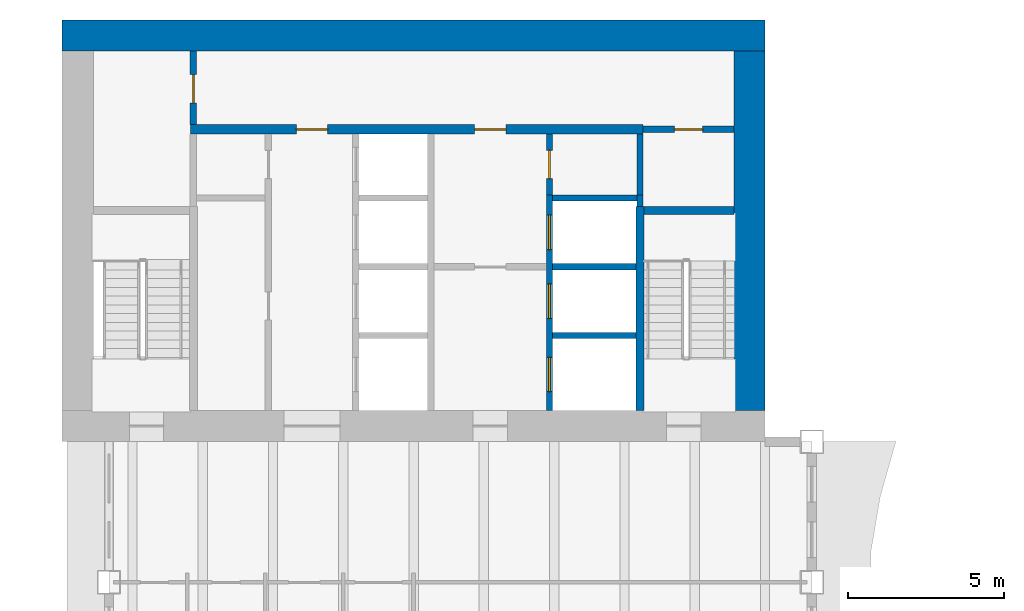
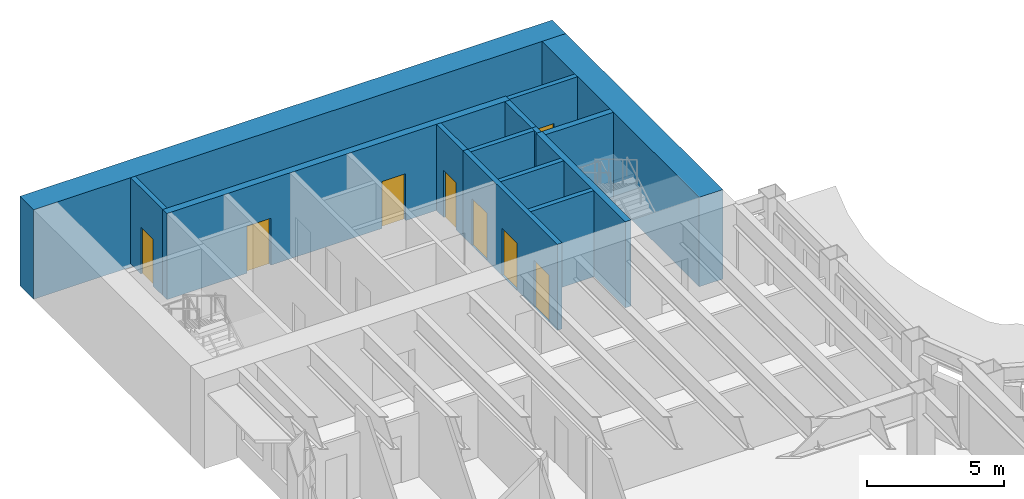
# One storey, part 10 of 17: 14 walls, 8 doors, 8 openings.
"""IFC4 building model written with IfcOpenShell, lengths in metres."""

from ifc_helpers import new_model, si_unit, direction, frame, frame_2d, origin, place, context, subcontext, project, spatial, rectangle, extrude, material, layer, layer_set, type_object, element, fill, save


model = new_model("IFC4")

# Units and contexts
model_context = context("Model", 3, precision=1e-05, world=origin(), true_north=direction((0.0, 1.0)))
body_context = subcontext(model_context, "Body", "Model", "MODEL_VIEW")
ifc_project = project(units=[si_unit("LENGTHUNIT", "METRE"), si_unit("AREAUNIT", "SQUARE_METRE"), si_unit("VOLUMEUNIT", "CUBIC_METRE"), si_unit("PLANEANGLEUNIT", "RADIAN"), si_unit("MASSUNIT", "GRAM", prefix="KILO")], contexts=[model_context])

# Site, building, storey
site_placement = place(None, origin())
site = spatial("IfcSite", under=ifc_project, at=site_placement, CompositionType="ELEMENT")
building_placement = place(site_placement, origin())
building = spatial("IfcBuilding", under=site, at=building_placement, Name="Sennacour Bend Tower", CompositionType="ELEMENT")
storey_placement = place(building_placement, frame((0.0, 0.0, 195.0)))
storey = spatial("IfcBuildingStorey", under=building, at=storey_placement, Name="L44", CompositionType="ELEMENT", Elevation=195.0)

# Walls
ifc_material_1 = material(Name="Concrete C60/75", Category="concrete")
ifc_layer_1 = layer(ifc_material_1, 1.0, Name="Concrete C60/75", Category="concrete")
ifc_layer_set_1 = layer_set([ifc_layer_1], Name="Concrete C60/75")
wall_type_1 = type_object("IfcWallType", Name="Core wall 1000 C60/75", PredefinedType="SHEAR", material=ifc_layer_set_1)
wall_1_placement = place(storey_placement, frame((0.0, 49.0, -0.14990234375), z_axis=(0.0, 0.0, 1.0), x_axis=(1.0, 0.0, 0.0)))
element("IfcWall", 1, at=wall_1_placement, inside=storey, type_object=wall_type_1, Name="Core B wall L44 N", PredefinedType="SHEAR", context=body_context, shape_type="SweptSolid", body=[
    extrude(rectangle(XDim=22.5, YDim=1.0, at=frame_2d((11.25, 0.0))), origin(), (0.0, 0.0, 1.0), 4.0),
])
wall_2_placement = place(storey_placement, frame((22.0, 37.0, -0.14990234375), z_axis=(0.0, 0.0, 1.0), x_axis=(0.0, 1.0, 0.0)))
element("IfcWall", 2, at=wall_2_placement, inside=storey, type_object=wall_type_1, Name="Core B wall L44 E", PredefinedType="SHEAR", context=body_context, shape_type="SweptSolid", body=[
    extrude(rectangle(XDim=11.5, YDim=1.0, at=frame_2d((5.75, 0.0))), origin(), (0.0, 0.0, 1.0), 4.0),
])

# Wall, opening, door
ifc_material_2 = material(Name="Fire-rated plasterboard partition on steel studs", Category="steel")
ifc_layer_2 = layer(ifc_material_2, 0.199951171875, Name="Fire-rated plasterboard partition on steel studs", Category="steel")
ifc_layer_set_2 = layer_set([ifc_layer_2], Name="Fire-rated plasterboard partition on steel studs")
wall_type_2 = type_object("IfcWallType", Name="Rated partition 200", PredefinedType="PARTITIONING", material=ifc_layer_set_2)
wall_3_placement = place(storey_placement, frame((4.199951171875, 46.14990234375, 0.0), z_axis=(0.0, 0.0, 1.0), x_axis=(0.0, 1.0, 0.0)))
wall_3 = element("IfcWall", 3, at=wall_3_placement, inside=storey, type_object=wall_type_2, Name="P-L44-W006b", PredefinedType="PARTITIONING", context=body_context, shape_type="SweptSolid", body=[
    extrude(rectangle(XDim=2.35009765625, YDim=0.199951171875, at=frame_2d((1.175048828125, 0.0))), origin(), (0.0, 0.0, 1.0), 3.85009765625),
])
opening_1_placement = place(wall_3_placement, frame((0.7001953125, 0.0, 0.0)))
opening_1 = element("IfcOpeningElement", 4, at=opening_1_placement, cuts=wall_3, Name="Opening SV", PredefinedType="OPENING", context=body_context, shape_type="SweptSolid", body=[
    extrude(rectangle(XDim=0.89990234375, YDim=2.10009765625, at=frame_2d((0.449951171875, 1.050048828125))), frame((0.0, 0.10986328125, 0.0), z_axis=(0.0, -1.0, 0.0), x_axis=(1.0, 0.0, 0.0)), (0.0, 0.0, 1.0), 0.219970703125),
])
ifc_material_3 = material(Name="Painted steel", Category="steel")
door_type_1 = type_object("IfcDoorType", Name="DR-SERVICE-900", OperationType="NOTDEFINED", PredefinedType="DOOR", material=ifc_material_3)
door_1_placement = place(opening_1_placement, origin())
door_1 = element("IfcDoor", 5, at=door_1_placement, inside=storey, type_object=door_type_1, Name="Door", OperationType="SINGLE_SWING_LEFT", OverallHeight=2.10009765625, OverallWidth=0.89990234375, PredefinedType="DOOR", context=body_context, shape_type="SweptSolid", body=[
    extrude(rectangle(XDim=0.89990234375, YDim=2.10009765625, at=frame_2d((0.449951171875, 1.050048828125))), frame((0.0, 0.02490234375, 0.0), z_axis=(0.0, -1.0, 0.0), x_axis=(1.0, 0.0, 0.0)), (0.0, 0.0, 1.0), 0.050048828125),
])
fill(opening_1, door_1)

wall_4_placement = place(storey_placement, frame((15.60009765625, 43.89990234375, 0.0), z_axis=(0.0, 0.0, 1.0), x_axis=(0.0, 1.0, 0.0)))
wall_4 = element("IfcWall", 6, at=wall_4_placement, inside=storey, type_object=wall_type_2, Name="P-L44-W018", PredefinedType="PARTITIONING", context=body_context, shape_type="SweptSolid", body=[
    extrude(rectangle(XDim=1.9501953125, YDim=0.199951171875, at=frame_2d((0.97509765625, 0.0))), origin(), (0.0, 0.0, 1.0), 3.85009765625),
])
opening_2_placement = place(wall_4_placement, frame((0.525146484375, 0.0, 0.0)))
opening_2 = element("IfcOpeningElement", 7, at=opening_2_placement, cuts=wall_4, Name="Opening SV", PredefinedType="OPENING", context=body_context, shape_type="SweptSolid", body=[
    extrude(rectangle(XDim=0.89990234375, YDim=2.10009765625, at=frame_2d((0.449951171875, 1.050048828125))), frame((0.0, 0.10986328125, 0.0), z_axis=(0.0, -1.0, 0.0), x_axis=(1.0, 0.0, 0.0)), (0.0, 0.0, 1.0), 0.219970703125),
])
door_2_placement = place(opening_2_placement, origin())
door_2 = element("IfcDoor", 8, at=door_2_placement, inside=storey, type_object=door_type_1, Name="Door", OperationType="SINGLE_SWING_RIGHT", OverallHeight=2.10009765625, OverallWidth=0.89990234375, PredefinedType="DOOR", context=body_context, shape_type="SweptSolid", body=[
    extrude(rectangle(XDim=0.89990234375, YDim=2.10009765625, at=frame_2d((0.449951171875, 1.050048828125))), frame((0.0, 0.02490234375, 0.0), z_axis=(0.0, -1.0, 0.0), x_axis=(1.0, 0.0, 0.0)), (0.0, 0.0, 1.0), 0.050048828125),
])
fill(opening_2, door_2)

# Wall
wall_5_placement = place(storey_placement, frame((18.5, 43.89990234375, 0.0), z_axis=(0.0, 0.0, 1.0), x_axis=(0.0, 1.0, 0.0)))
element("IfcWall", 9, at=wall_5_placement, inside=storey, type_object=wall_type_2, Name="P-L44-W022", PredefinedType="PARTITIONING", context=body_context, shape_type="SweptSolid", body=[
    extrude(rectangle(XDim=1.9501953125, YDim=0.199951171875, at=frame_2d((0.97509765625, 0.0))), origin(), (0.0, 0.0, 1.0), 3.85009765625),
])

# Wall, opening, door
wall_6_placement = place(storey_placement, frame((18.60009765625, 46.0, 0.0), z_axis=(0.0, 0.0, 1.0), x_axis=(1.0, 0.0, 0.0)))
wall_6 = element("IfcWall", 10, at=wall_6_placement, inside=storey, type_object=wall_type_2, Name="P-L44-W092", PredefinedType="PARTITIONING", context=body_context, shape_type="SweptSolid", body=[
    extrude(rectangle(XDim=2.89990234375, YDim=0.199951171875, at=frame_2d((1.449951171875, 0.0))), origin(), (0.0, 0.0, 1.0), 3.85009765625),
])
opening_3_placement = place(wall_6_placement, frame((1.0, 0.0, 0.0)))
opening_3 = element("IfcOpeningElement", 11, at=opening_3_placement, cuts=wall_6, Name="Opening SV", PredefinedType="OPENING", context=body_context, shape_type="SweptSolid", body=[
    extrude(rectangle(XDim=0.89990234375, YDim=2.10009765625, at=frame_2d((0.449951171875, 1.050048828125))), frame((0.0, 0.10986328125, 0.0), z_axis=(0.0, -1.0, 0.0), x_axis=(1.0, 0.0, 0.0)), (0.0, 0.0, 1.0), 0.219970703125),
])
door_3_placement = place(opening_3_placement, origin())
door_3 = element("IfcDoor", 12, at=door_3_placement, inside=storey, type_object=door_type_1, Name="Door", OperationType="SINGLE_SWING_LEFT", OverallHeight=2.10009765625, OverallWidth=0.89990234375, PredefinedType="DOOR", context=body_context, shape_type="SweptSolid", body=[
    extrude(rectangle(XDim=0.89990234375, YDim=2.10009765625, at=frame_2d((0.449951171875, 1.050048828125))), frame((0.0, 0.02490234375, 0.0), z_axis=(0.0, -1.0, 0.0), x_axis=(1.0, 0.0, 0.0)), (0.0, 0.0, 1.0), 0.050048828125),
])
fill(opening_3, door_3)

# Wall, openings, doors
ifc_material_4 = material(Name="Concrete C50/60", Category="concrete")
ifc_layer_3 = layer(ifc_material_4, 0.199951171875, Name="Concrete C50/60", Category="concrete")
ifc_layer_set_3 = layer_set([ifc_layer_3], Name="Concrete C50/60")
wall_type_3 = type_object("IfcWallType", Name="Shaft wall 200", PredefinedType="SOLIDWALL", material=ifc_layer_set_3)
wall_7_placement = place(storey_placement, frame((15.60009765625, 37.0, 0.0), z_axis=(0.0, 0.0, 1.0), x_axis=(0.0, 1.0, 0.0)))
wall_7 = element("IfcWall", 13, at=wall_7_placement, inside=storey, type_object=wall_type_3, Name="P-L44-W017", PredefinedType="SOLIDWALL", context=body_context, shape_type="SweptSolid", body=[
    extrude(rectangle(XDim=6.89990234375, YDim=0.199951171875, at=frame_2d((3.449951171875, 0.0))), origin(), (0.0, 0.0, 1.0), 3.85009765625),
])
opening_4_placement = place(wall_7_placement, frame((0.60009765625, 0.0, 0.011962890625)))
opening_4 = element("IfcOpeningElement", 14, at=opening_4_placement, cuts=wall_7, Name="Opening FLD", PredefinedType="OPENING", context=body_context, shape_type="SweptSolid", body=[
    extrude(rectangle(XDim=1.10009765625, YDim=2.10009765625, at=frame_2d((0.550048828125, 1.050048828125))), frame((0.0, 0.10986328125, 0.0), z_axis=(0.0, -1.0, 0.0), x_axis=(1.0, 0.0, 0.0)), (0.0, 0.0, 1.0), 0.219970703125),
])
opening_5_placement = place(wall_7_placement, frame((2.949951171875, 0.0, 0.011962890625)))
opening_5 = element("IfcOpeningElement", 15, at=opening_5_placement, cuts=wall_7, Name="Opening FLD", PredefinedType="OPENING", context=body_context, shape_type="SweptSolid", body=[
    extrude(rectangle(XDim=1.10009765625, YDim=2.10009765625, at=frame_2d((0.550048828125, 1.050048828125))), frame((0.0, 0.10986328125, 0.0), z_axis=(0.0, -1.0, 0.0), x_axis=(1.0, 0.0, 0.0)), (0.0, 0.0, 1.0), 0.219970703125),
])
opening_6_placement = place(wall_7_placement, frame((5.14990234375, 0.0, 0.011962890625)))
opening_6 = element("IfcOpeningElement", 16, at=opening_6_placement, cuts=wall_7, Name="Opening LD", PredefinedType="OPENING", context=body_context, shape_type="SweptSolid", body=[
    extrude(rectangle(XDim=1.10009765625, YDim=2.10009765625, at=frame_2d((0.550048828125, 1.050048828125))), frame((0.0, 0.10986328125, 0.0), z_axis=(0.0, -1.0, 0.0), x_axis=(1.0, 0.0, 0.0)), (0.0, 0.0, 1.0), 0.219970703125),
])
ifc_material_5 = material(Name="Stainless steel", Category="steel")
door_type_2 = type_object("IfcDoorType", Name="DR-FF-LANDING-1100", OperationType="NOTDEFINED", PredefinedType="DOOR", material=ifc_material_5)
door_4_placement = place(opening_4_placement, origin())
door_4 = element("IfcDoor", 17, at=door_4_placement, inside=storey, type_object=door_type_2, Name="Fire service lift landing door FB1", OperationType="SLIDING_TO_RIGHT", OverallHeight=2.10009765625, OverallWidth=1.10009765625, PredefinedType="DOOR", context=body_context, shape_type="SweptSolid", body=[
    extrude(rectangle(XDim=1.10009765625, YDim=2.10009765625, at=frame_2d((0.550048828125, 1.050048828125))), frame((0.0, 0.02490234375, 0.0), z_axis=(0.0, -1.0, 0.0), x_axis=(1.0, 0.0, 0.0)), (0.0, 0.0, 1.0), 0.050048828125),
])
fill(opening_4, door_4)
door_5_placement = place(opening_5_placement, origin())
door_5 = element("IfcDoor", 18, at=door_5_placement, inside=storey, type_object=door_type_2, Name="Fire service lift landing door FB2", OperationType="SLIDING_TO_LEFT", OverallHeight=2.10009765625, OverallWidth=1.10009765625, PredefinedType="DOOR", context=body_context, shape_type="SweptSolid", body=[
    extrude(rectangle(XDim=1.10009765625, YDim=2.10009765625, at=frame_2d((0.550048828125, 1.050048828125))), frame((0.0, 0.02490234375, 0.0), z_axis=(0.0, -1.0, 0.0), x_axis=(1.0, 0.0, 0.0)), (0.0, 0.0, 1.0), 0.050048828125),
])
fill(opening_5, door_5)
door_type_3 = type_object("IfcDoorType", Name="DR-LANDING-1100", OperationType="NOTDEFINED", PredefinedType="DOOR", material=ifc_material_5)
door_6_placement = place(opening_6_placement, origin())
door_6 = element("IfcDoor", 19, at=door_6_placement, inside=storey, type_object=door_type_3, Name="Lift landing door MB5", OperationType="SLIDING_TO_RIGHT", OverallHeight=2.10009765625, OverallWidth=1.10009765625, PredefinedType="DOOR", context=body_context, shape_type="SweptSolid", body=[
    extrude(rectangle(XDim=1.10009765625, YDim=2.10009765625, at=frame_2d((0.550048828125, 1.050048828125))), frame((0.0, 0.02490234375, 0.0), z_axis=(0.0, -1.0, 0.0), x_axis=(1.0, 0.0, 0.0)), (0.0, 0.0, 1.0), 0.050048828125),
])
fill(opening_6, door_6)

# Walls
wall_8_placement = place(storey_placement, frame((18.5, 43.52490234375, 0.0), z_axis=(0.0, 0.0, 1.0), x_axis=(0.0, 1.0, 0.0)))
element("IfcWall", 20, at=wall_8_placement, inside=storey, type_object=wall_type_3, Name="P-L44-W021", PredefinedType="SOLIDWALL", context=body_context, shape_type="SweptSolid", body=[
    extrude(rectangle(XDim=0.375, YDim=0.199951171875, at=frame_2d((0.1875, 0.0))), origin(), (0.0, 0.0, 1.0), 3.85009765625),
])
for number, where, z_axis, x_axis, name in (
    (21, (15.699951171875, 39.39990234375, 0.0), (0.0, 0.0, 1.0), (1.0, 0.0, 0.0), "P-L44-W082"),
    (22, (15.699951171875, 41.60009765625, 0.0), (0.0, 0.0, 1.0), (1.0, 0.0, 0.0), "P-L44-W085"),
):
    element("IfcWall", number, at=place(storey_placement, frame(where, z_axis=z_axis, x_axis=x_axis)), inside=storey, type_object=wall_type_3, Name=name, PredefinedType="SOLIDWALL", context=body_context, shape_type="SweptSolid", body=[
        extrude(rectangle(XDim=2.675048828125, YDim=0.199951171875, at=frame_2d((1.33740234375, 0.0))), origin(), (0.0, 0.0, 1.0), 3.85009765625),
    ])
wall_9_placement = place(storey_placement, frame((15.699951171875, 43.800048828125, 0.0), z_axis=(0.0, 0.0, 1.0), x_axis=(1.0, 0.0, 0.0)))
element("IfcWall", 23, at=wall_9_placement, inside=storey, type_object=wall_type_3, Name="P-L44-W090", PredefinedType="SOLIDWALL", context=body_context, shape_type="SweptSolid", body=[
    extrude(rectangle(XDim=2.699951171875, YDim=0.199951171875, at=frame_2d((1.35009765625, 0.0))), origin(), (0.0, 0.0, 1.0), 3.85009765625),
])

# Wall, openings, doors
ifc_layer_4 = layer(ifc_material_1, 0.300048828125, Name="Concrete C60/75", Category="concrete")
ifc_layer_set_4 = layer_set([ifc_layer_4], Name="Concrete C60/75")
wall_type_4 = type_object("IfcWallType", Name="Spine wall 300", PredefinedType="SHEAR", material=ifc_layer_set_4)
wall_10_placement = place(storey_placement, frame((4.10009765625, 46.0, 0.0), z_axis=(0.0, 0.0, 1.0), x_axis=(1.0, 0.0, 0.0)))
wall_10 = element("IfcWall", 24, at=wall_10_placement, inside=storey, type_object=wall_type_4, Name="P-L44-W091", PredefinedType="SHEAR", context=body_context, shape_type="SweptSolid", body=[
    extrude(rectangle(XDim=14.5, YDim=0.300048828125, at=frame_2d((7.25, 0.0))), origin(), (0.0, 0.0, 1.0), 3.85009765625),
])
opening_7_placement = place(wall_10_placement, frame((3.39990234375, 0.0, 0.0)))
opening_7 = element("IfcOpeningElement", 25, at=opening_7_placement, cuts=wall_10, Name="Opening CD2", PredefinedType="OPENING", context=body_context, shape_type="SweptSolid", body=[
    extrude(rectangle(XDim=1.0, YDim=2.10009765625, at=frame_2d((0.5, 1.050048828125))), frame((0.0, 0.16015625, 0.0), z_axis=(0.0, -1.0, 0.0), x_axis=(1.0, 0.0, 0.0)), (0.0, 0.0, 1.0), 0.320068359375),
])
opening_8_placement = place(wall_10_placement, frame((9.099853515625, 0.0, 0.0)))
opening_8 = element("IfcOpeningElement", 26, at=opening_8_placement, cuts=wall_10, Name="Opening CD2", PredefinedType="OPENING", context=body_context, shape_type="SweptSolid", body=[
    extrude(rectangle(XDim=1.0, YDim=2.10009765625, at=frame_2d((0.5, 1.050048828125))), frame((0.0, 0.16015625, 0.0), z_axis=(0.0, -1.0, 0.0), x_axis=(1.0, 0.0, 0.0)), (0.0, 0.0, 1.0), 0.320068359375),
])
door_type_4 = type_object("IfcDoorType", Name="DR-LOBBY-1000", OperationType="NOTDEFINED", PredefinedType="DOOR", material=ifc_material_3)
door_7_placement = place(opening_7_placement, origin())
door_7 = element("IfcDoor", 27, at=door_7_placement, inside=storey, type_object=door_type_4, Name="Door", OperationType="SINGLE_SWING_LEFT", OverallHeight=2.10009765625, OverallWidth=1.0, PredefinedType="DOOR", context=body_context, shape_type="SweptSolid", body=[
    extrude(rectangle(XDim=1.0, YDim=2.10009765625, at=frame_2d((0.5, 1.050048828125))), frame((0.0, 0.02490234375, 0.0), z_axis=(0.0, -1.0, 0.0), x_axis=(1.0, 0.0, 0.0)), (0.0, 0.0, 1.0), 0.050048828125),
])
fill(opening_7, door_7)
door_8_placement = place(opening_8_placement, origin())
door_8 = element("IfcDoor", 28, at=door_8_placement, inside=storey, type_object=door_type_4, Name="Door", OperationType="SINGLE_SWING_RIGHT", OverallHeight=2.10009765625, OverallWidth=1.0, PredefinedType="DOOR", context=body_context, shape_type="SweptSolid", body=[
    extrude(rectangle(XDim=1.0, YDim=2.10009765625, at=frame_2d((0.5, 1.050048828125))), frame((0.0, 0.02490234375, 0.0), z_axis=(0.0, -1.0, 0.0), x_axis=(1.0, 0.0, 0.0)), (0.0, 0.0, 1.0), 0.050048828125),
])
fill(opening_8, door_8)

# Walls
ifc_layer_5 = layer(ifc_material_1, 0.25, Name="Concrete C60/75", Category="concrete")
ifc_layer_set_5 = layer_set([ifc_layer_5], Name="Concrete C60/75")
wall_type_5 = type_object("IfcWallType", Name="Stair wall 250", PredefinedType="SHEAR", material=ifc_layer_set_5)
wall_11_placement = place(storey_placement, frame((18.5, 37.0, 0.0), z_axis=(0.0, 0.0, 1.0), x_axis=(0.0, 1.0, 0.0)))
element("IfcWall", 29, at=wall_11_placement, inside=storey, type_object=wall_type_5, Name="P-L44-W020", PredefinedType="SHEAR", context=body_context, shape_type="SweptSolid", body=[
    extrude(rectangle(XDim=6.52490234375, YDim=0.25, at=frame_2d((3.262451171875, 0.0))), origin(), (0.0, 0.0, 1.0), 3.85009765625),
])
wall_12_placement = place(storey_placement, frame((18.625, 43.39990234375, 0.0), z_axis=(0.0, 0.0, 1.0), x_axis=(1.0, 0.0, 0.0)))
element("IfcWall", 30, at=wall_12_placement, inside=storey, type_object=wall_type_5, Name="P-L44-W087", PredefinedType="SHEAR", context=body_context, shape_type="SweptSolid", body=[
    extrude(rectangle(XDim=2.875, YDim=0.25, at=frame_2d((1.4375, 0.0))), origin(), (0.0, 0.0, 1.0), 3.85009765625),
])

save(model, "model.ifc")
